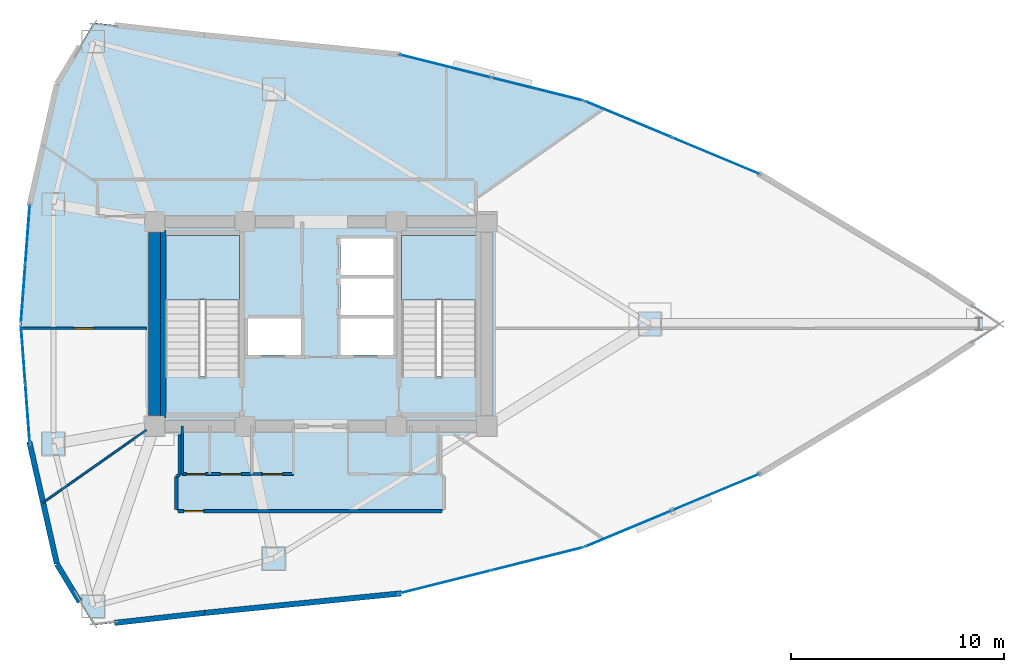
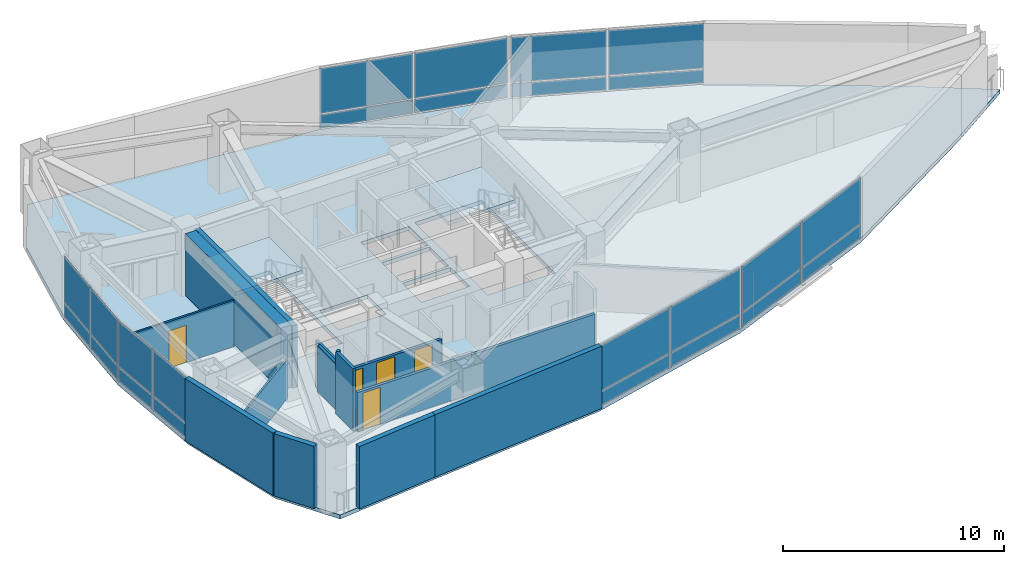
# One storey, part 13 of 18: 24 plates, 14 walls, 5 doors, 3 slabs, 5 openings, 8 elements without a shape of their own.
"""IFC4 building model written with IfcOpenShell, lengths in metres."""

from ifc_helpers import new_model, si_unit, direction, frame, frame_2d, origin, origin_2d, place, context, subcontext, project, spatial, polyline, rectangle, outline, extrude, material, layer, layer_set, type_object, element, fill, aggregate, save


model = new_model("IFC4")

# Units and contexts
model_context = context("Model", 3, precision=1e-05, world=origin(), true_north=direction((0.0, 1.0)))
body_context = subcontext(model_context, "Body", "Model", "MODEL_VIEW")
ifc_project = project(units=[si_unit("LENGTHUNIT", "METRE"), si_unit("AREAUNIT", "SQUARE_METRE"), si_unit("VOLUMEUNIT", "CUBIC_METRE"), si_unit("PLANEANGLEUNIT", "RADIAN"), si_unit("MASSUNIT", "GRAM", prefix="KILO")], contexts=[model_context])

# Site, building, storey
site_placement = place(None, origin())
site = spatial("IfcSite", under=ifc_project, at=site_placement, CompositionType="ELEMENT")
building_placement = place(site_placement, origin())
building = spatial("IfcBuilding", under=site, at=building_placement, Name="Menara Vayukalpa", CompositionType="ELEMENT")
storey_placement = place(building_placement, frame((0.0, 0.0, 169.199951171875)))
storey = spatial("IfcBuildingStorey", under=building, at=storey_placement, Name="L42", CompositionType="ELEMENT", Elevation=169.199951171875)

# Curtain wall, plates
ifc_material_1 = material(Name="Anodised Terracotta Aluminium Alloy 6063-T6", Category="masonry")
ifc_layer_1 = layer(ifc_material_1, 0.179931640625)
ifc_layer_set_1 = layer_set([ifc_layer_1], Name="Anodised Terracotta Aluminium Alloy 6063-T6")
curtain_wall_type = type_object("IfcCurtainWallType", Name="CW-CW4", PredefinedType="USERDEFINED", material=ifc_layer_set_1)
curtain_wall_1_placement = place(storey_placement, origin())
curtain_wall_1 = element("IfcCurtainWall", 1, at=curtain_wall_1_placement, inside=storey, type_object=curtain_wall_type, Name="L42 Sky Bar Cantilever Glazed Curtain Wall CW4 04", ObjectType="UNITISED", PredefinedType="USERDEFINED")
ifc_material_2 = material(Name="Low-E Double Glazing", Category="glass")
ifc_layer_2 = layer(ifc_material_2, 0.0380859375)
ifc_layer_set_2 = layer_set([ifc_layer_2], Name="Low-E Double Glazing")
plate_type = type_object("IfcPlateType", Name="CWP-CW4", PredefinedType="CURTAIN_PANEL", material=ifc_layer_set_2)
plate_1_placement = place(storey_placement, frame((44.1494140625, 29.8955078125, 0.070068359375), z_axis=(0.0, 0.0, 1.0), x_axis=(-0.922878459104, 0.385091352437, 0.0)))
plate_1 = element("IfcPlate", 2, at=plate_1_placement, type_object=plate_type, Name="CW4 panel 1.1", PredefinedType="CURTAIN_PANEL", context=body_context, shape_type="SweptSolid", body=[
    extrude(rectangle(XDim=4.369873046875, YDim=0.0380859375, at=origin_2d()), origin(), (0.0, 0.0, 1.0), 0.7451171875),
])
plate_2_placement = place(storey_placement, frame((44.1494140625, 29.8955078125, 0.884765625), z_axis=(0.0, 0.0, 1.0), x_axis=(-0.922878459104, 0.385091352437, 0.0)))
plate_2 = element("IfcPlate", 3, at=plate_2_placement, type_object=plate_type, Name="CW4 panel 1.2", PredefinedType="CURTAIN_PANEL", context=body_context, shape_type="SweptSolid", body=[
    extrude(rectangle(XDim=4.369873046875, YDim=0.0380859375, at=origin_2d()), origin(), (0.0, 0.0, 1.0), 2.485107421875),
])
plate_3_placement = place(storey_placement, frame((40.04736328125, 31.607421875, 0.070068359375), z_axis=(0.0, 0.0, 1.0), x_axis=(-0.922878459104, 0.385091352437, 0.0)))
plate_3 = element("IfcPlate", 4, at=plate_3_placement, type_object=plate_type, Name="CW4 panel 2.1", PredefinedType="CURTAIN_PANEL", context=body_context, shape_type="SweptSolid", body=[
    extrude(rectangle(XDim=4.369873046875, YDim=0.0380859375, at=origin_2d()), origin(), (0.0, 0.0, 1.0), 0.7451171875),
])
plate_4_placement = place(storey_placement, frame((40.04736328125, 31.607421875, 0.884765625), z_axis=(0.0, 0.0, 1.0), x_axis=(-0.922878459104, 0.385091352437, 0.0)))
plate_4 = element("IfcPlate", 5, at=plate_4_placement, type_object=plate_type, Name="CW4 panel 2.2", PredefinedType="CURTAIN_PANEL", context=body_context, shape_type="SweptSolid", body=[
    extrude(rectangle(XDim=4.369873046875, YDim=0.0380859375, at=origin_2d()), origin(), (0.0, 0.0, 1.0), 2.485107421875),
])
aggregate(curtain_wall_1, [plate_1, plate_2, plate_3, plate_4])

curtain_wall_2_placement = place(storey_placement, origin())
curtain_wall_2 = element("IfcCurtainWall", 6, at=curtain_wall_2_placement, inside=storey, type_object=curtain_wall_type, Name="L42 Sky Bar Cantilever Glazed Curtain Wall CW4 05", ObjectType="UNITISED", PredefinedType="USERDEFINED")
plate_5_placement = place(storey_placement, frame((35.76953125, 33.027099609375, 0.070068359375), z_axis=(0.0, 0.0, 1.0), x_axis=(-0.969997975566, 0.243112993066, 0.0)))
plate_5 = element("IfcPlate", 7, at=plate_5_placement, type_object=plate_type, Name="CW4 panel 1.1", PredefinedType="CURTAIN_PANEL", context=body_context, shape_type="SweptSolid", body=[
    extrude(rectangle(XDim=4.369873046875, YDim=0.0380859375, at=origin_2d()), origin(), (0.0, 0.0, 1.0), 0.7451171875),
])
plate_6_placement = place(storey_placement, frame((35.76953125, 33.027099609375, 0.884765625), z_axis=(0.0, 0.0, 1.0), x_axis=(-0.969997975566, 0.243112993066, 0.0)))
plate_6 = element("IfcPlate", 8, at=plate_6_placement, type_object=plate_type, Name="CW4 panel 1.2", PredefinedType="CURTAIN_PANEL", context=body_context, shape_type="SweptSolid", body=[
    extrude(rectangle(XDim=4.369873046875, YDim=0.0380859375, at=origin_2d()), origin(), (0.0, 0.0, 1.0), 2.485107421875),
])
plate_7_placement = place(storey_placement, frame((31.4580078125, 34.107666015625, 0.070068359375), z_axis=(0.0, 0.0, 1.0), x_axis=(-0.969997975566, 0.243112993066, 0.0)))
plate_7 = element("IfcPlate", 9, at=plate_7_placement, type_object=plate_type, Name="CW4 panel 2.1", PredefinedType="CURTAIN_PANEL", context=body_context, shape_type="SweptSolid", body=[
    extrude(rectangle(XDim=4.369873046875, YDim=0.0380859375, at=origin_2d()), origin(), (0.0, 0.0, 1.0), 0.7451171875),
])
plate_8_placement = place(storey_placement, frame((31.4580078125, 34.107666015625, 0.884765625), z_axis=(0.0, 0.0, 1.0), x_axis=(-0.969997975566, 0.243112993066, 0.0)))
plate_8 = element("IfcPlate", 10, at=plate_8_placement, type_object=plate_type, Name="CW4 panel 2.2", PredefinedType="CURTAIN_PANEL", context=body_context, shape_type="SweptSolid", body=[
    extrude(rectangle(XDim=4.369873046875, YDim=0.0380859375, at=origin_2d()), origin(), (0.0, 0.0, 1.0), 2.485107421875),
])
aggregate(curtain_wall_2, [plate_5, plate_6, plate_7, plate_8])

curtain_wall_3_placement = place(storey_placement, origin())
curtain_wall_3 = element("IfcCurtainWall", 11, at=curtain_wall_3_placement, inside=storey, type_object=curtain_wall_type, Name="L42 Sky Bar Cantilever Glazed Curtain Wall CW4 10", ObjectType="UNITISED", PredefinedType="USERDEFINED")
plate_9_placement = place(storey_placement, frame((11.842041015625, 26.205078125, 0.070068359375), z_axis=(0.0, 0.0, 1.0), x_axis=(-0.074792589364, -0.997199111801, 0.0)))
plate_9 = element("IfcPlate", 12, at=plate_9_placement, type_object=plate_type, Name="CW4 panel 1.1", PredefinedType="CURTAIN_PANEL", context=body_context, shape_type="SweptSolid", body=[
    extrude(rectangle(XDim=2.71142578125, YDim=0.0380859375, at=origin_2d()), origin(), (0.0, 0.0, 1.0), 0.7451171875),
])
plate_10_placement = place(storey_placement, frame((11.842041015625, 26.205078125, 0.884765625), z_axis=(0.0, 0.0, 1.0), x_axis=(-0.074792589364, -0.997199111801, 0.0)))
plate_10 = element("IfcPlate", 13, at=plate_10_placement, type_object=plate_type, Name="CW4 panel 1.2", PredefinedType="CURTAIN_PANEL", context=body_context, shape_type="SweptSolid", body=[
    extrude(rectangle(XDim=2.71142578125, YDim=0.0380859375, at=origin_2d()), origin(), (0.0, 0.0, 1.0), 2.485107421875),
])
plate_11_placement = place(storey_placement, frame((11.6337890625, 23.4267578125, 0.070068359375), z_axis=(0.0, 0.0, 1.0), x_axis=(-0.074792589364, -0.997199111801, 0.0)))
plate_11 = element("IfcPlate", 14, at=plate_11_placement, type_object=plate_type, Name="CW4 panel 2.1", PredefinedType="CURTAIN_PANEL", context=body_context, shape_type="SweptSolid", body=[
    extrude(rectangle(XDim=2.71142578125, YDim=0.0380859375, at=origin_2d()), origin(), (0.0, 0.0, 1.0), 0.7451171875),
])
plate_12_placement = place(storey_placement, frame((11.6337890625, 23.4267578125, 0.884765625), z_axis=(0.0, 0.0, 1.0), x_axis=(-0.074792589364, -0.997199111801, 0.0)))
plate_12 = element("IfcPlate", 15, at=plate_12_placement, type_object=plate_type, Name="CW4 panel 2.2", PredefinedType="CURTAIN_PANEL", context=body_context, shape_type="SweptSolid", body=[
    extrude(rectangle(XDim=2.71142578125, YDim=0.0380859375, at=origin_2d()), origin(), (0.0, 0.0, 1.0), 2.485107421875),
])
aggregate(curtain_wall_3, [plate_9, plate_10, plate_11, plate_12])

curtain_wall_4_placement = place(storey_placement, origin())
curtain_wall_4 = element("IfcCurtainWall", 16, at=curtain_wall_4_placement, inside=storey, type_object=curtain_wall_type, Name="L42 Sky Bar Cantilever Glazed Curtain Wall CW4 11", ObjectType="UNITISED", PredefinedType="USERDEFINED")
plate_13_placement = place(storey_placement, frame((11.6337890625, 20.5732421875, 0.070068359375), z_axis=(0.0, 0.0, 1.0), x_axis=(0.074792589364, -0.997199111801, 0.0)))
plate_13 = element("IfcPlate", 17, at=plate_13_placement, type_object=plate_type, Name="CW4 panel 1.1", PredefinedType="CURTAIN_PANEL", context=body_context, shape_type="SweptSolid", body=[
    extrude(rectangle(XDim=2.71142578125, YDim=0.0380859375, at=origin_2d()), origin(), (0.0, 0.0, 1.0), 0.7451171875),
])
plate_14_placement = place(storey_placement, frame((11.6337890625, 20.5732421875, 0.884765625), z_axis=(0.0, 0.0, 1.0), x_axis=(0.074792589364, -0.997199111801, 0.0)))
plate_14 = element("IfcPlate", 18, at=plate_14_placement, type_object=plate_type, Name="CW4 panel 1.2", PredefinedType="CURTAIN_PANEL", context=body_context, shape_type="SweptSolid", body=[
    extrude(rectangle(XDim=2.71142578125, YDim=0.0380859375, at=origin_2d()), origin(), (0.0, 0.0, 1.0), 2.485107421875),
])
plate_15_placement = place(storey_placement, frame((11.842041015625, 17.794921875, 0.070068359375), z_axis=(0.0, 0.0, 1.0), x_axis=(0.074792589364, -0.997199111801, 0.0)))
plate_15 = element("IfcPlate", 19, at=plate_15_placement, type_object=plate_type, Name="CW4 panel 2.1", PredefinedType="CURTAIN_PANEL", context=body_context, shape_type="SweptSolid", body=[
    extrude(rectangle(XDim=2.71142578125, YDim=0.0380859375, at=origin_2d()), origin(), (0.0, 0.0, 1.0), 0.7451171875),
])
plate_16_placement = place(storey_placement, frame((11.842041015625, 17.794921875, 0.884765625), z_axis=(0.0, 0.0, 1.0), x_axis=(0.074792589364, -0.997199111801, 0.0)))
plate_16 = element("IfcPlate", 20, at=plate_16_placement, type_object=plate_type, Name="CW4 panel 2.2", PredefinedType="CURTAIN_PANEL", context=body_context, shape_type="SweptSolid", body=[
    extrude(rectangle(XDim=2.71142578125, YDim=0.0380859375, at=origin_2d()), origin(), (0.0, 0.0, 1.0), 2.485107421875),
])
aggregate(curtain_wall_4, [plate_13, plate_14, plate_15, plate_16])

curtain_wall_5_placement = place(storey_placement, origin())
curtain_wall_5 = element("IfcCurtainWall", 21, at=curtain_wall_5_placement, inside=storey, type_object=curtain_wall_type, Name="L42 Sky Bar Cantilever Glazed Curtain Wall CW4 16", ObjectType="UNITISED", PredefinedType="USERDEFINED")
plate_17_placement = place(storey_placement, frame((31.4580078125, 9.892333984375, 0.070068359375), z_axis=(0.0, 0.0, 1.0), x_axis=(0.969997975566, 0.243112993066, 0.0)))
plate_17 = element("IfcPlate", 22, at=plate_17_placement, type_object=plate_type, Name="CW4 panel 1.1", PredefinedType="CURTAIN_PANEL", context=body_context, shape_type="SweptSolid", body=[
    extrude(rectangle(XDim=4.369873046875, YDim=0.0380859375, at=origin_2d()), origin(), (0.0, 0.0, 1.0), 0.7451171875),
])
plate_18_placement = place(storey_placement, frame((31.4580078125, 9.892333984375, 0.884765625), z_axis=(0.0, 0.0, 1.0), x_axis=(0.969997975566, 0.243112993066, 0.0)))
plate_18 = element("IfcPlate", 23, at=plate_18_placement, type_object=plate_type, Name="CW4 panel 1.2", PredefinedType="CURTAIN_PANEL", context=body_context, shape_type="SweptSolid", body=[
    extrude(rectangle(XDim=4.369873046875, YDim=0.0380859375, at=origin_2d()), origin(), (0.0, 0.0, 1.0), 2.485107421875),
])
plate_19_placement = place(storey_placement, frame((35.76953125, 10.972900390625, 0.070068359375), z_axis=(0.0, 0.0, 1.0), x_axis=(0.969997975566, 0.243112993066, 0.0)))
plate_19 = element("IfcPlate", 24, at=plate_19_placement, type_object=plate_type, Name="CW4 panel 2.1", PredefinedType="CURTAIN_PANEL", context=body_context, shape_type="SweptSolid", body=[
    extrude(rectangle(XDim=4.369873046875, YDim=0.0380859375, at=origin_2d()), origin(), (0.0, 0.0, 1.0), 0.7451171875),
])
plate_20_placement = place(storey_placement, frame((35.76953125, 10.972900390625, 0.884765625), z_axis=(0.0, 0.0, 1.0), x_axis=(0.969997975566, 0.243112993066, 0.0)))
plate_20 = element("IfcPlate", 25, at=plate_20_placement, type_object=plate_type, Name="CW4 panel 2.2", PredefinedType="CURTAIN_PANEL", context=body_context, shape_type="SweptSolid", body=[
    extrude(rectangle(XDim=4.369873046875, YDim=0.0380859375, at=origin_2d()), origin(), (0.0, 0.0, 1.0), 2.485107421875),
])
aggregate(curtain_wall_5, [plate_17, plate_18, plate_19, plate_20])

curtain_wall_6_placement = place(storey_placement, origin())
curtain_wall_6 = element("IfcCurtainWall", 26, at=curtain_wall_6_placement, inside=storey, type_object=curtain_wall_type, Name="L42 Sky Bar Cantilever Glazed Curtain Wall CW4 17", ObjectType="UNITISED", PredefinedType="USERDEFINED")
plate_21_placement = place(storey_placement, frame((40.04736328125, 12.392578125, 0.070068359375), z_axis=(0.0, 0.0, 1.0), x_axis=(0.922878459104, 0.385091352437, 0.0)))
plate_21 = element("IfcPlate", 27, at=plate_21_placement, type_object=plate_type, Name="CW4 panel 1.1", PredefinedType="CURTAIN_PANEL", context=body_context, shape_type="SweptSolid", body=[
    extrude(rectangle(XDim=4.369873046875, YDim=0.0380859375, at=origin_2d()), origin(), (0.0, 0.0, 1.0), 0.7451171875),
])
plate_22_placement = place(storey_placement, frame((40.04736328125, 12.392578125, 0.884765625), z_axis=(0.0, 0.0, 1.0), x_axis=(0.922878459104, 0.385091352437, 0.0)))
plate_22 = element("IfcPlate", 28, at=plate_22_placement, type_object=plate_type, Name="CW4 panel 1.2", PredefinedType="CURTAIN_PANEL", context=body_context, shape_type="SweptSolid", body=[
    extrude(rectangle(XDim=4.369873046875, YDim=0.0380859375, at=origin_2d()), origin(), (0.0, 0.0, 1.0), 2.485107421875),
])
plate_23_placement = place(storey_placement, frame((44.1494140625, 14.1044921875, 0.070068359375), z_axis=(0.0, 0.0, 1.0), x_axis=(0.922878459104, 0.385091352437, 0.0)))
plate_23 = element("IfcPlate", 29, at=plate_23_placement, type_object=plate_type, Name="CW4 panel 2.1", PredefinedType="CURTAIN_PANEL", context=body_context, shape_type="SweptSolid", body=[
    extrude(rectangle(XDim=4.369873046875, YDim=0.0380859375, at=origin_2d()), origin(), (0.0, 0.0, 1.0), 0.7451171875),
])
plate_24_placement = place(storey_placement, frame((44.1494140625, 14.1044921875, 0.884765625), z_axis=(0.0, 0.0, 1.0), x_axis=(0.922878459104, 0.385091352437, 0.0)))
plate_24 = element("IfcPlate", 30, at=plate_24_placement, type_object=plate_type, Name="CW4 panel 2.2", PredefinedType="CURTAIN_PANEL", context=body_context, shape_type="SweptSolid", body=[
    extrude(rectangle(XDim=4.369873046875, YDim=0.0380859375, at=origin_2d()), origin(), (0.0, 0.0, 1.0), 2.485107421875),
])
aggregate(curtain_wall_6, [plate_21, plate_22, plate_23, plate_24])

# Slab
ifc_material_3 = material(Name="Concrete C40/50", Category="concrete")
ifc_layer_3 = layer(ifc_material_3, 0.219970703125)
ifc_layer_set_3 = layer_set([ifc_layer_3], Name="Concrete C40/50")
slab_type_1 = type_object("IfcSlabType", Name="SLB-FL220", PredefinedType="FLOOR", material=ifc_layer_set_3)
slab_1_placement = place(storey_placement, frame((0.0, 0.0, -0.219970703125)))
element("IfcSlab", 31, at=slab_1_placement, inside=storey, type_object=slab_type_1, Name="L42 Sky Bar Structural Floor Slab", PredefinedType="FLOOR", context=body_context, shape_type="SweptSolid", body=[
    extrude(outline(polyline([(54.086181640625, 19.69970703125), (57.552001953125, 22.0), (54.086181640625, 24.30029296875), (46.235107421875, 29.025390625), (37.961669921875, 32.4775390625), (29.265625, 34.656982421875), (20.1474609375, 35.56396484375), (14.948974609375, 36.13916015625), (13.21630859375, 33.263671875), (11.94921875, 27.6318359375), (11.526611328125, 22.0), (11.94921875, 16.3681640625), (13.21630859375, 10.736328125), (14.948974609375, 7.86083984375), (20.1474609375, 8.43603515625), (29.265625, 9.343017578125), (37.961669921875, 11.5224609375), (46.235107421875, 14.974609375), (54.086181640625, 19.69970703125)]), holes=[polyline([(21.800048828125, 19.550048828125), (21.800048828125, 26.14990234375), (18.300048828125, 26.14990234375), (18.300048828125, 19.550048828125), (21.800048828125, 19.550048828125)]), polyline([(32.89990234375, 19.550048828125), (32.89990234375, 26.14990234375), (29.39990234375, 26.14990234375), (29.39990234375, 19.550048828125), (32.89990234375, 19.550048828125)]), polyline([(22.179931640625, 20.550048828125), (24.679931640625, 20.550048828125), (24.679931640625, 22.27001953125), (22.179931640625, 22.27001953125), (22.179931640625, 20.550048828125)]), polyline([(26.52001953125, 20.550048828125), (29.02001953125, 20.550048828125), (29.02001953125, 22.27001953125), (26.52001953125, 22.27001953125), (26.52001953125, 20.550048828125)]), polyline([(26.52001953125, 24.2900390625), (29.02001953125, 24.2900390625), (29.02001953125, 26.010009765625), (26.52001953125, 26.010009765625), (26.52001953125, 24.2900390625)]), polyline([(26.52001953125, 22.419921875), (29.02001953125, 22.419921875), (29.02001953125, 24.139892578125), (26.52001953125, 24.139892578125), (26.52001953125, 22.419921875)])]), origin(), (0.0, 0.0, 1.0), 0.219970703125),
])

# Stair, slab
ifc_material_4 = material(Name="Precast Concrete C40/50", Category="concrete")
stair_type = type_object("IfcStairType", Name="STR-T04", PredefinedType="DOUBLE_RETURN_STAIR", material=ifc_material_4)
stair_1_placement = place(storey_placement, origin())
stair_1 = element("IfcStair", 32, at=stair_1_placement, inside=storey, type_object=stair_type, Name="L42 Core Exit Stair ST-1", PredefinedType="DOUBLE_RETURN_STAIR")
ifc_material_5 = material(Name="Precast Concrete C40/50", Category="concrete")
ifc_layer_4 = layer(ifc_material_5, 0.199951171875)
ifc_layer_set_4 = layer_set([ifc_layer_4], Name="Precast Concrete C40/50")
slab_type_2 = type_object("IfcSlabType", Name="SLB-LND200", PredefinedType="LANDING", material=ifc_layer_set_4)
slab_2_placement = place(storey_placement, frame((0.0, 0.0, 1.66015625)))
slab_2 = element("IfcSlab", 33, at=slab_2_placement, type_object=slab_type_2, Name="ST-1 landing 1", PredefinedType="LANDING", context=body_context, shape_type="SweptSolid", body=[
    extrude(outline(polyline([(21.800048828125, 23.1298828125), (21.800048828125, 26.14990234375), (18.300048828125, 26.14990234375), (18.300048828125, 23.1298828125), (21.800048828125, 23.1298828125)])), origin(), (0.0, 0.0, 1.0), 0.199951171875),
])
aggregate(stair_1, [slab_2])

stair_2_placement = place(storey_placement, origin())
stair_2 = element("IfcStair", 34, at=stair_2_placement, inside=storey, type_object=stair_type, Name="L42 Core Exit Stair ST-2", PredefinedType="DOUBLE_RETURN_STAIR")
slab_3_placement = place(storey_placement, frame((0.0, 0.0, 1.66015625)))
slab_3 = element("IfcSlab", 35, at=slab_3_placement, type_object=slab_type_2, Name="ST-2 landing 1", PredefinedType="LANDING", context=body_context, shape_type="SweptSolid", body=[
    extrude(outline(polyline([(32.89990234375, 23.1298828125), (32.89990234375, 26.14990234375), (29.39990234375, 26.14990234375), (29.39990234375, 23.1298828125), (32.89990234375, 23.1298828125)])), origin(), (0.0, 0.0, 1.0), 0.199951171875),
])
aggregate(stair_2, [slab_3])

# Walls
ifc_material_6 = material(Name="Concrete C60/75", Category="concrete")
ifc_layer_5 = layer(ifc_material_6, 0.550048828125)
ifc_layer_set_5 = layer_set([ifc_layer_5], Name="Concrete C60/75")
wall_type_1 = type_object("IfcWallType", Name="WAL-CW550", PredefinedType="SHEAR", material=ifc_layer_set_5)
wall_1_placement = place(storey_placement, frame((17.800048828125, 17.695068359375, 0.0), z_axis=(0.0, 0.0, 1.0), x_axis=(0.0, 1.0, 0.0)))
element("IfcWall", 36, at=wall_1_placement, inside=storey, type_object=wall_type_1, Name="L42 Buttressed Core Shear Wall CWW1", PredefinedType="SHEAR", context=body_context, shape_type="SweptSolid", body=[
    extrude(rectangle(XDim=8.60986328125, YDim=0.550048828125, at=frame_2d((4.304931640625, 0.0))), origin(), (0.0, 0.0, 1.0), 3.43994140625),
])
ifc_material_7 = material(Name="Insulated Precast Concrete C40/50", Category="concrete")
ifc_layer_6 = layer(ifc_material_7, 0.260009765625)
ifc_layer_set_6 = layer_set([ifc_layer_6], Name="Insulated Precast Concrete C40/50")
wall_type_2 = type_object("IfcWallType", Name="WAL-EXT260", PredefinedType="PARTITIONING", material=ifc_layer_set_6)
wall_2_placement = place(storey_placement, frame((13.214111328125, 10.745849609375, 0.0), z_axis=(0.0, 0.0, 1.0), x_axis=(-0.219491422264, 0.975614429758, 0.0)))
element("IfcWall", 37, at=wall_2_placement, inside=storey, type_object=wall_type_2, Name="L42 Perimeter Terracotta Pier Wall 12", PredefinedType="PARTITIONING", context=body_context, shape_type="SweptSolid", body=[
    extrude(rectangle(XDim=5.873046875, YDim=0.260009765625, at=frame_2d((2.9365234375, 0.0))), origin(), (0.0, 0.0, 1.0), 3.43994140625),
])
wall_3_placement = place(storey_placement, frame((14.291259765625, 8.9521484375, 0.0), z_axis=(0.0, 0.0, 1.0), x_axis=(-0.516157331647, 0.856493788061, 0.0)))
element("IfcWall", 38, at=wall_3_placement, inside=storey, type_object=wall_type_2, Name="L42 Perimeter Terracotta Pier Wall 13", PredefinedType="PARTITIONING", context=body_context, shape_type="SweptSolid", body=[
    extrude(rectangle(XDim=2.0732421875, YDim=0.260009765625, at=frame_2d((1.03662109375, 0.0))), origin(), (0.0, 0.0, 1.0), 3.43994140625),
])
wall_4_placement = place(storey_placement, frame((20.1533203125, 8.436767578125, 0.0), z_axis=(0.0, 0.0, 1.0), x_axis=(-0.993933978819, -0.109978387641, 0.0)))
element("IfcWall", 39, at=wall_4_placement, inside=storey, type_object=wall_type_2, Name="L42 Perimeter Terracotta Pier Wall 14", PredefinedType="PARTITIONING", context=body_context, shape_type="SweptSolid", body=[
    extrude(rectangle(XDim=4.2578125, YDim=0.260009765625, at=frame_2d((2.12890625, 0.0))), origin(), (0.0, 0.0, 1.0), 3.43994140625),
])
wall_5_placement = place(storey_placement, frame((29.375244140625, 9.353759765625, 0.0), z_axis=(0.0, 0.0, 1.0), x_axis=(-0.9950896707, -0.098977508888, 0.0)))
element("IfcWall", 40, at=wall_5_placement, inside=storey, type_object=wall_type_2, Name="L42 Perimeter Terracotta Pier Wall 15", PredefinedType="PARTITIONING", context=body_context, shape_type="SweptSolid", body=[
    extrude(rectangle(XDim=9.279541015625, YDim=0.260009765625, at=frame_2d((4.6396484375, 0.0))), origin(), (0.0, 0.0, 1.0), 3.43994140625),
])

# Wall, opening, door
ifc_material_8 = material(Name="Glazed Demountable Office Partition", Category="glass")
ifc_layer_7 = layer(ifc_material_8, 0.094970703125)
ifc_layer_set_7 = layer_set([ifc_layer_7], Name="Glazed Demountable Office Partition")
wall_type_3 = type_object("IfcWallType", Name="WAL-PT100", PredefinedType="PARTITIONING", material=ifc_layer_set_7)
wall_6_placement = place(storey_placement, frame((11.53173828125, 21.800048828125, 0.0), z_axis=(0.0, 0.0, 1.0), x_axis=(1.0, 0.0, 0.0)))
wall_6 = element("IfcWall", 41, at=wall_6_placement, inside=storey, type_object=wall_type_3, Name="L42 Interior Partition IW-L42-RDIV02", PredefinedType="PARTITIONING", context=body_context, shape_type="SweptSolid", body=[
    extrude(rectangle(XDim=5.898193359375, YDim=0.094970703125, at=frame_2d((2.94921875, 0.0))), origin(), (0.0, 0.0, 1.0), 2.570068359375),
])
opening_1_placement = place(wall_6_placement, frame((2.4892578125, 0.0, 0.0)))
opening_1 = element("IfcOpeningElement", 42, at=opening_1_placement, cuts=wall_6, Name="Opening ID6", PredefinedType="OPENING", context=body_context, shape_type="SweptSolid", body=[
    extrude(rectangle(XDim=0.919921875, YDim=2.050048828125, at=frame_2d((0.4599609375, 1.02490234375))), frame((0.0, 0.057373046875, 0.0), z_axis=(0.0, -1.0, 0.0), x_axis=(1.0, 0.0, 0.0)), (0.0, 0.0, 1.0), 0.114990234375),
])
ifc_material_9 = material(Name="Acoustic Hardwood Veneer Timber Door", Category="wood")
door_type_1 = type_object("IfcDoorType", Name="DR-INT92", OperationType="NOTDEFINED", PredefinedType="DOOR", material=ifc_material_9)
door_1_placement = place(opening_1_placement, origin())
door_1 = element("IfcDoor", 43, at=door_1_placement, inside=storey, type_object=door_type_1, Name="L42 Interior Door DR-L42-STE01", OperationType="SINGLE_SWING_RIGHT", OverallHeight=2.050048828125, OverallWidth=0.919921875, PredefinedType="DOOR", context=body_context, shape_type="SweptSolid", body=[
    extrude(rectangle(XDim=0.919921875, YDim=2.050048828125, at=frame_2d((0.4599609375, 1.02490234375))), frame((0.0, 0.02490234375, 0.0), z_axis=(0.0, -1.0, 0.0), x_axis=(1.0, 0.0, 0.0)), (0.0, 0.0, 1.0), 0.050048828125),
])
fill(opening_1, door_1)

# Walls
wall_7_placement = place(storey_placement, frame((12.5595703125, 13.609375, 0.0), z_axis=(0.0, 0.0, 1.0), x_axis=(0.818176574762, 0.574967036021, 0.0)))
element("IfcWall", 44, at=wall_7_placement, inside=storey, type_object=wall_type_3, Name="L42 Interior Partition IW-L42-RDIV04", PredefinedType="PARTITIONING", context=body_context, shape_type="SweptSolid", body=[
    extrude(rectangle(XDim=5.95263671875, YDim=0.094970703125, at=frame_2d((2.976318359375, 0.0))), origin(), (0.0, 0.0, 1.0), 2.170166015625),
])
ifc_material_10 = material(Name="Gypsum Drywall Steel Stud Assembly", Category="steel")
ifc_layer_8 = layer(ifc_material_10, 0.125)
ifc_layer_set_8 = layer_set([ifc_layer_8], Name="Gypsum Drywall Steel Stud Assembly")
wall_type_4 = type_object("IfcWallType", Name="WAL-PT125", PredefinedType="PARTITIONING", material=ifc_layer_set_8)
wall_8_placement = place(storey_placement, frame((19.10009765625, 14.949951171875, 0.0), z_axis=(0.0, 0.0, 1.0), x_axis=(0.0, 1.0, 0.0)))
element("IfcWall", 45, at=wall_8_placement, inside=storey, type_object=wall_type_4, Name="L42 Interior Partition IW-L42-SVCD-01", PredefinedType="PARTITIONING", context=body_context, shape_type="SweptSolid", body=[
    extrude(rectangle(XDim=2.25, YDim=0.125, at=frame_2d((1.125, 0.0))), origin(), (0.0, 0.0, 1.0), 2.570068359375),
])

# Wall, openings, doors
ifc_material_11 = material(Name="Gypsum Drywall Acoustic Stud Assembly", Category="masonry")
ifc_layer_9 = layer(ifc_material_11, 0.14501953125)
ifc_layer_set_9 = layer_set([ifc_layer_9], Name="Gypsum Drywall Acoustic Stud Assembly")
wall_type_5 = type_object("IfcWallType", Name="WAL-PT150", PredefinedType="PARTITIONING", material=ifc_layer_set_9)
wall_9_placement = place(storey_placement, frame((19.10009765625, 14.949951171875, 0.0), z_axis=(0.0, 0.0, 1.0), x_axis=(1.0, 0.0, 0.0)))
wall_9 = element("IfcWall", 46, at=wall_9_placement, inside=storey, type_object=wall_type_5, Name="L42 Interior Partition IW-L42-SVCS-W", PredefinedType="PARTITIONING", context=body_context, shape_type="SweptSolid", body=[
    extrude(rectangle(XDim=5.219970703125, YDim=0.14501953125, at=frame_2d((2.60986328125, 0.0))), origin(), (0.0, 0.0, 1.0), 2.170166015625),
])
opening_2_placement = place(wall_9_placement, frame((0.199951171875, 0.0, 0.0)))
opening_2 = element("IfcOpeningElement", 47, at=opening_2_placement, cuts=wall_9, Name="Opening ID7", PredefinedType="OPENING", context=body_context, shape_type="SweptSolid", body=[
    extrude(rectangle(XDim=0.89990234375, YDim=2.02001953125, at=frame_2d((0.449951171875, 1.010009765625))), frame((0.0, 0.08251953125, 0.0), z_axis=(0.0, -1.0, 0.0), x_axis=(1.0, 0.0, 0.0)), (0.0, 0.0, 1.0), 0.1650390625),
])
opening_3_placement = place(wall_9_placement, frame((1.804931640625, 0.0, 0.0)))
opening_3 = element("IfcOpeningElement", 48, at=opening_3_placement, cuts=wall_9, Name="Opening ID5", PredefinedType="OPENING", context=body_context, shape_type="SweptSolid", body=[
    extrude(rectangle(XDim=0.949951171875, YDim=2.06005859375, at=frame_2d((0.47509765625, 1.030029296875))), frame((0.0, 0.08251953125, 0.0), z_axis=(0.0, -1.0, 0.0), x_axis=(1.0, 0.0, 0.0)), (0.0, 0.0, 1.0), 0.1650390625),
])
opening_4_placement = place(wall_9_placement, frame((3.764892578125, 0.0, 0.0)))
opening_4 = element("IfcOpeningElement", 49, at=opening_4_placement, cuts=wall_9, Name="Opening ID5", PredefinedType="OPENING", context=body_context, shape_type="SweptSolid", body=[
    extrude(rectangle(XDim=0.949951171875, YDim=2.06005859375, at=frame_2d((0.47509765625, 1.030029296875))), frame((0.0, 0.08251953125, 0.0), z_axis=(0.0, -1.0, 0.0), x_axis=(1.0, 0.0, 0.0)), (0.0, 0.0, 1.0), 0.1650390625),
])
ifc_material_12 = material(Name="Acoustic Hardwood Veneer Timber Door", Category="wood")
door_type_2 = type_object("IfcDoorType", Name="DR-INT95", OperationType="NOTDEFINED", PredefinedType="DOOR", material=ifc_material_12)
door_2_placement = place(opening_3_placement, origin())
door_2 = element("IfcDoor", 50, at=door_2_placement, inside=storey, type_object=door_type_2, Name="L42 Interior Door DR-L42-AWC", OperationType="SINGLE_SWING_LEFT", OverallHeight=2.06005859375, OverallWidth=0.949951171875, PredefinedType="DOOR", context=body_context, shape_type="SweptSolid", body=[
    extrude(rectangle(XDim=0.949951171875, YDim=2.06005859375, at=frame_2d((0.47509765625, 1.030029296875))), frame((0.0, 0.02490234375, 0.0), z_axis=(0.0, -1.0, 0.0), x_axis=(1.0, 0.0, 0.0)), (0.0, 0.0, 1.0), 0.050048828125),
])
fill(opening_3, door_2)
door_3_placement = place(opening_4_placement, origin())
door_3 = element("IfcDoor", 51, at=door_3_placement, inside=storey, type_object=door_type_2, Name="L42 Interior Door DR-L42-SWC", OperationType="SINGLE_SWING_RIGHT", OverallHeight=2.06005859375, OverallWidth=0.949951171875, PredefinedType="DOOR", context=body_context, shape_type="SweptSolid", body=[
    extrude(rectangle(XDim=0.949951171875, YDim=2.06005859375, at=frame_2d((0.47509765625, 1.030029296875))), frame((0.0, 0.02490234375, 0.0), z_axis=(0.0, -1.0, 0.0), x_axis=(1.0, 0.0, 0.0)), (0.0, 0.0, 1.0), 0.050048828125),
])
fill(opening_4, door_3)
ifc_material_13 = material(Name="Powder-Coated Steel Riser Access Door", Category="steel")
door_type_3 = type_object("IfcDoorType", Name="DR-RISER", OperationType="NOTDEFINED", PredefinedType="DOOR", material=ifc_material_13)
door_4_placement = place(opening_2_placement, origin())
door_4 = element("IfcDoor", 52, at=door_4_placement, inside=storey, type_object=door_type_3, Name="L42 Interior Door DR-L42-ELR", OperationType="SINGLE_SWING_RIGHT", OverallHeight=2.02001953125, OverallWidth=0.89990234375, PredefinedType="DOOR", context=body_context, shape_type="SweptSolid", body=[
    extrude(rectangle(XDim=0.89990234375, YDim=2.02001953125, at=frame_2d((0.449951171875, 1.010009765625))), frame((0.0, 0.02490234375, 0.0), z_axis=(0.0, -1.0, 0.0), x_axis=(1.0, 0.0, 0.0)), (0.0, 0.0, 1.0), 0.050048828125),
])
fill(opening_2, door_4)

# Walls
wall_10_placement = place(storey_placement, frame((18.97998046875, 16.780029296875, 0.0), z_axis=(0.0, 0.0, 1.0), x_axis=(0.0, -1.0, 0.0)))
element("IfcWall", 53, at=wall_10_placement, inside=storey, type_object=wall_type_5, Name="L42 Interior Partition IW-L42-CRM02-1", PredefinedType="PARTITIONING", context=body_context, shape_type="SweptSolid", body=[
    extrude(rectangle(XDim=1.85009765625, YDim=0.14501953125, at=frame_2d((0.925048828125, 0.0))), origin(), (0.0, 0.0, 1.0), 2.570068359375),
])
wall_11_placement = place(storey_placement, frame((18.820068359375, 14.85009765625, 0.0), z_axis=(0.0, 0.0, 1.0), x_axis=(0.0, -1.0, 0.0)))
element("IfcWall", 54, at=wall_11_placement, inside=storey, type_object=wall_type_5, Name="L42 Interior Partition IW-L42-CRM02-2", PredefinedType="PARTITIONING", context=body_context, shape_type="SweptSolid", body=[
    extrude(rectangle(XDim=1.56005859375, YDim=0.14501953125, at=frame_2d((0.780029296875, 0.0))), origin(), (0.0, 0.0, 1.0), 3.43994140625),
])

# Wall, opening, door
wall_12_placement = place(storey_placement, frame((18.89990234375, 13.2099609375, 0.0), z_axis=(0.0, 0.0, 1.0), x_axis=(1.0, 0.0, 0.0)))
wall_12 = element("IfcWall", 55, at=wall_12_placement, inside=storey, type_object=wall_type_5, Name="L42 Interior Partition IW-L42-CRM02-3", PredefinedType="PARTITIONING", context=body_context, shape_type="SweptSolid", body=[
    extrude(rectangle(XDim=12.400146484375, YDim=0.14501953125, at=frame_2d((6.2001953125, 0.0))), origin(), (0.0, 0.0, 1.0), 2.170166015625),
])
opening_5_placement = place(wall_12_placement, frame((0.280029296875, 0.0, 0.0)))
opening_5 = element("IfcOpeningElement", 56, at=opening_5_placement, cuts=wall_12, Name="Opening ID6", PredefinedType="OPENING", context=body_context, shape_type="SweptSolid", body=[
    extrude(rectangle(XDim=0.919921875, YDim=2.050048828125, at=frame_2d((0.4599609375, 1.02490234375))), frame((0.0, 0.08251953125, 0.0), z_axis=(0.0, -1.0, 0.0), x_axis=(1.0, 0.0, 0.0)), (0.0, 0.0, 1.0), 0.1650390625),
])
door_5_placement = place(opening_5_placement, origin())
door_5 = element("IfcDoor", 57, at=door_5_placement, inside=storey, type_object=door_type_1, Name="L42 Interior Door DR-L42-RM02", OperationType="SINGLE_SWING_LEFT", OverallHeight=2.050048828125, OverallWidth=0.919921875, PredefinedType="DOOR", context=body_context, shape_type="SweptSolid", body=[
    extrude(rectangle(XDim=0.919921875, YDim=2.050048828125, at=frame_2d((0.4599609375, 1.02490234375))), frame((0.0, 0.02490234375, 0.0), z_axis=(0.0, -1.0, 0.0), x_axis=(1.0, 0.0, 0.0)), (0.0, 0.0, 1.0), 0.050048828125),
])
fill(opening_5, door_5)

# Walls
wall_13_placement = place(storey_placement, frame((18.820068359375, 14.85009765625, 0.0), z_axis=(0.0, 0.0, 1.0), x_axis=(0.89470021502, 0.446667130247, 0.0)))
element("IfcWall", 58, at=wall_13_placement, inside=storey, type_object=wall_type_5, Name="L42 Interior Partition IW-L42-CRM02-2-R0", PredefinedType="PARTITIONING", context=body_context, shape_type="SweptSolid", body=[
    extrude(rectangle(XDim=0.1787109375, YDim=0.14501953125, at=frame_2d((0.08935546875, 0.0))), origin(), (0.0, 0.0, 1.0), 3.43994140625),
])
ifc_material_14 = material(Name="Concrete C50/60", Category="concrete")
ifc_layer_10 = layer(ifc_material_14, 0.25)
ifc_layer_set_10 = layer_set([ifc_layer_10], Name="Concrete C50/60")
wall_type_6 = type_object("IfcWallType", Name="WAL-SW250", PredefinedType="SHEAR", material=ifc_layer_set_10)
wall_14_placement = place(storey_placement, frame((18.2041015625, 17.60009765625, 0.0), z_axis=(0.0, 0.0, 1.0), x_axis=(0.0, 1.0, 0.0)))
element("IfcWall", 59, at=wall_14_placement, inside=storey, type_object=wall_type_6, Name="L42 ST1 Structural Stair Shaft Wall W", PredefinedType="SHEAR", context=body_context, shape_type="SweptSolid", body=[
    extrude(rectangle(XDim=8.7998046875, YDim=0.25, at=frame_2d((4.39990234375, 0.0))), origin(), (0.0, 0.0, 1.0), 3.43994140625),
])

save(model, "model.ifc")
